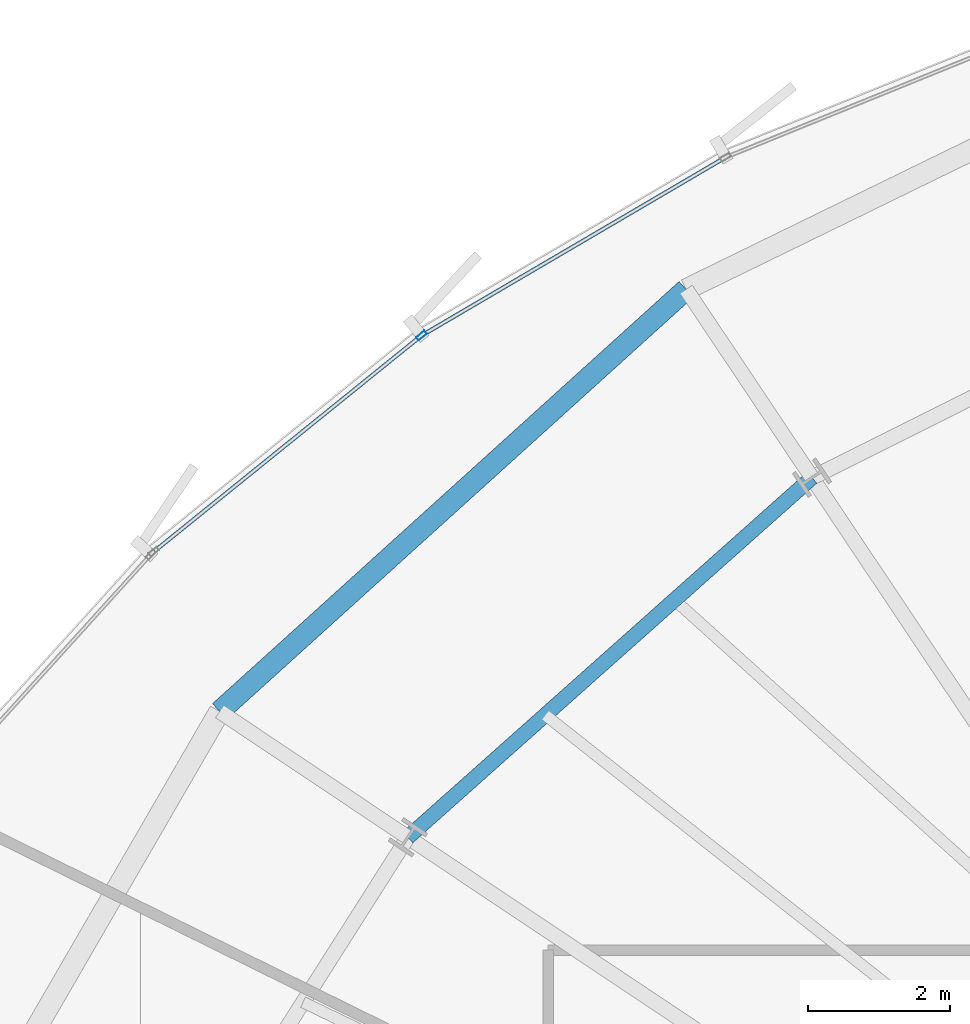
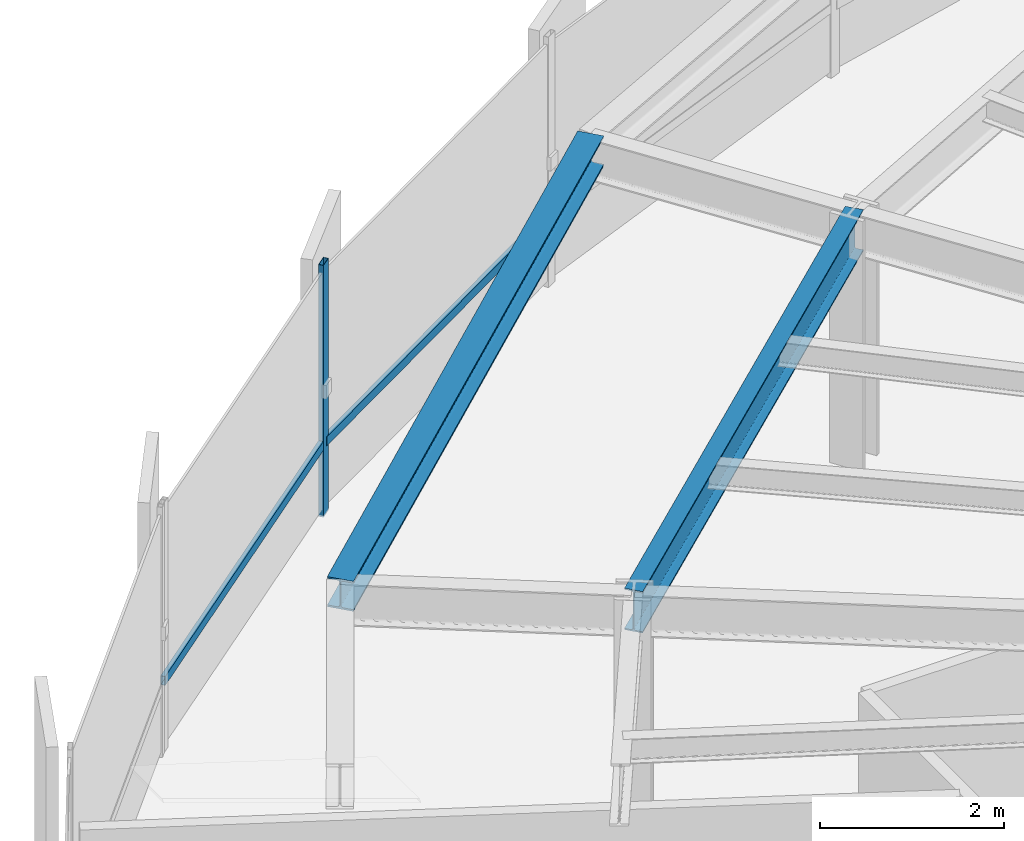
# One storey, part 19 of 35: 3 members, 2 beams, 1 element without a shape of its own.
"""IFC4 building model written with IfcOpenShell, lengths in metres."""

from ifc_helpers import new_model, si_unit, direction, frame, origin, origin_2d, place, context, subcontext, project, spatial, hollow_rectangle, i_section, extrude, source, transform, mapped, material, layer, layer_set, material_profile, profile_set, type_object, element, aggregate, save


model = new_model("IFC4")

# Units and contexts
model_context = context("Model", 3, precision=1e-05, world=origin(), true_north=direction((0.0, 1.0)))
body_context = subcontext(model_context, "Body", "Model", "MODEL_VIEW")
ifc_project = project(units=[si_unit("LENGTHUNIT", "METRE"), si_unit("AREAUNIT", "SQUARE_METRE"), si_unit("VOLUMEUNIT", "CUBIC_METRE"), si_unit("PLANEANGLEUNIT", "RADIAN"), si_unit("MASSUNIT", "GRAM", prefix="KILO"), si_unit("THERMODYNAMICTEMPERATUREUNIT", "KELVIN")], contexts=[model_context])

# Site, building, storey
site_placement = place(None, origin())
site = spatial("IfcSite", under=ifc_project, at=site_placement, CompositionType="ELEMENT")
building_placement = place(site_placement, origin())
building = spatial("IfcBuilding", under=site, at=building_placement, Name="Kethvar Cultural Tower", CompositionType="ELEMENT")
storey_placement = place(building_placement, frame((0.0, 0.0, 107.199951171875)))
storey = spatial("IfcBuildingStorey", under=building, at=storey_placement, Name="L26", CompositionType="ELEMENT", Elevation=107.199951171875)

# Beams
ifc_material_1 = material(Name="Steel S355J2", Category="steel")
ifc_material_profile_1 = material_profile(ifc_material_1, i_section(OverallWidth=0.2099609375, OverallDepth=0.550048828125, WebThickness=0.010986328125, FlangeThickness=0.01708984375, FilletRadius=0.02392578125, at=origin_2d()), Name="Steel S355J2 — IPE550")
ifc_profile_set_1 = profile_set([ifc_material_profile_1], Name="Steel S355J2 — IPE550")
beam_type_1 = type_object("IfcBeamType", Name="BM-IPE550", PredefinedType="BEAM", material=ifc_profile_set_1)
shared_shape_1 = source(origin(), body_context, "Body", "SweptSolid", [
    extrude(i_section(OverallWidth=0.2099609375, OverallDepth=0.550048828125, WebThickness=0.010986328125, FlangeThickness=0.01708984375, FilletRadius=0.02392578125, at=origin_2d()), origin(), (0.0, 0.0, 1.0), 7.64599609375),
])
beam_1_placement = place(storey_placement, frame((36.0576171875, 43.877197265625, 3.072998046875), z_axis=(-0.747021617367, -0.66479974668, 0.0), x_axis=(0.66479974668, -0.747021617367, 0.0)))
element("IfcBeam", 1, at=beam_1_placement, inside=storey, type_object=beam_type_1, Name="L26 Column Ring Tie Beam CR-06", PredefinedType="BEAM", context=body_context, shape_type="MappedRepresentation", body=[
    mapped(shared_shape_1, transform((0.0, 0.0, 0.0), scale=1.0)),
])
ifc_material_profile_2 = material_profile(ifc_material_1, i_section(OverallWidth=0.300048828125, OverallDepth=0.39990234375, WebThickness=0.013427734375, FlangeThickness=0.02392578125, FilletRadius=0.027099609375, at=origin_2d()), Name="Steel S355J2 — HEB400")
ifc_profile_set_2 = profile_set([ifc_material_profile_2], Name="Steel S355J2 — HEB400")
beam_type_2 = type_object("IfcBeamType", Name="BM-SP400", PredefinedType="SPANDREL", material=ifc_profile_set_2)
shared_shape_2 = source(origin(), body_context, "Body", "SweptSolid", [
    extrude(i_section(OverallWidth=0.300048828125, OverallDepth=0.39990234375, WebThickness=0.013427734375, FlangeThickness=0.02392578125, FilletRadius=0.027099609375, at=origin_2d()), origin(), (0.0, 0.0, 1.0), 8.892822265625),
])
beam_2_placement = place(storey_placement, frame((34.27978515625, 46.5380859375, 3.14794921875), z_axis=(-0.741556591679, -0.670890319901, 0.0), x_axis=(0.670890319901, -0.741556591679, 0.0)))
element("IfcBeam", 2, at=beam_2_placement, inside=storey, type_object=beam_type_2, Name="L26 Perimeter Spandrel Beam SP-06", PredefinedType="SPANDREL", context=body_context, shape_type="MappedRepresentation", body=[
    mapped(shared_shape_2, transform((0.0, 0.0, 0.0), scale=1.0)),
])

# Curtain wall, members
ifc_material_2 = material(Name="Aluminium 6063-T6", Category="aluminium")
ifc_layer = layer(ifc_material_2, 0.179931640625, Name="Aluminium 6063-T6", Category="aluminium")
ifc_layer_set = layer_set([ifc_layer], Name="Aluminium 6063-T6 (180 mm)")
curtain_wall_type = type_object("IfcCurtainWallType", Name="CW-SYS-03-Z2", PredefinedType="NOTDEFINED", material=ifc_layer_set)
curtain_wall_placement = place(storey_placement, origin())
curtain_wall = element("IfcCurtainWall", 3, at=curtain_wall_placement, inside=storey, type_object=curtain_wall_type, Name="L26 Curtain Wall Run 02", PredefinedType="NOTDEFINED")
ifc_material_profile_3 = material_profile(ifc_material_2, hollow_rectangle(XDim=0.06005859375, YDim=0.14990234375, WallThickness=0.0048828125, at=origin_2d()), Name="Aluminium 6063-T6 — RHS150x60x5")
ifc_profile_set_3 = profile_set([ifc_material_profile_3], Name="Aluminium 6063-T6 — RHS150x60x5")
member_type_1 = type_object("IfcMemberType", Name="CW-SYS-03-Z2-MUL", PredefinedType="MULLION", material=ifc_profile_set_3)
shared_shape_3 = source(origin(), body_context, "Body", "SweptSolid", [
    extrude(hollow_rectangle(XDim=0.06005859375, YDim=0.14990234375, WallThickness=0.0048828125, at=origin_2d()), origin(), (0.0, 0.0, 1.0), 3.35009765625),
])
member_1_placement = place(storey_placement, frame((30.540283203125, 45.886962890625, 0.0), z_axis=(0.0, 0.0, 1.0), x_axis=(0.628234677493, -0.778023900658, 0.0)))
member_1 = element("IfcMember", 4, at=member_1_placement, type_object=member_type_1, Name="CW-L26-R02 Mullion 6", PredefinedType="MULLION", context=body_context, shape_type="MappedRepresentation", body=[
    mapped(shared_shape_3, transform((0.0, 0.0, 0.0), scale=1.0)),
])
ifc_material_profile_4 = material_profile(ifc_material_2, hollow_rectangle(XDim=0.054931640625, YDim=0.1201171875, WallThickness=0.00390625, at=origin_2d()), Name="Aluminium 6063-T6 — RHS120x55x4")
ifc_profile_set_4 = profile_set([ifc_material_profile_4], Name="Aluminium 6063-T6 — RHS120x55x4")
member_type_2 = type_object("IfcMemberType", Name="CW-SYS-03-Z2-TRN", PredefinedType="USERDEFINED", material=ifc_profile_set_4)
shared_shape_4 = source(origin(), body_context, "Body", "SweptSolid", [
    extrude(hollow_rectangle(XDim=0.054931640625, YDim=0.1201171875, WallThickness=0.00390625, at=origin_2d()), origin(), (0.0, 0.0, 1.0), 4.911376953125),
])
member_2_placement = place(storey_placement, frame((34.800048828125, 48.383544921875, 0.949951171875), z_axis=(-0.862620931291, -0.505850895915, 0.0), x_axis=(0.505850895915, -0.862620931291, 0.0)))
member_2 = element("IfcMember", 5, at=member_2_placement, type_object=member_type_2, Name="CW-L26-R02 Transom 5", ObjectType="TRANSOM", PredefinedType="USERDEFINED", context=body_context, shape_type="MappedRepresentation", body=[
    mapped(shared_shape_4, transform((0.0, 0.0, 0.0), scale=1.0)),
])
shared_shape_5 = source(origin(), body_context, "Body", "SweptSolid", [
    extrude(hollow_rectangle(XDim=0.054931640625, YDim=0.1201171875, WallThickness=0.00390625, at=origin_2d()), origin(), (0.0, 0.0, 1.0), 4.817138671875),
])
member_3_placement = place(storey_placement, frame((30.506591796875, 45.85986328125, 0.949951171875), z_axis=(-0.778012637534, -0.628248625814, 0.0), x_axis=(0.628248625814, -0.778012637534, 0.0)))
member_3 = element("IfcMember", 6, at=member_3_placement, type_object=member_type_2, Name="CW-L26-R02 Transom 6", ObjectType="TRANSOM", PredefinedType="USERDEFINED", context=body_context, shape_type="MappedRepresentation", body=[
    mapped(shared_shape_5, transform((0.0, 0.0, 0.0), scale=1.0)),
])
aggregate(curtain_wall, [member_1, member_2, member_3])

save(model, "model.ifc")
